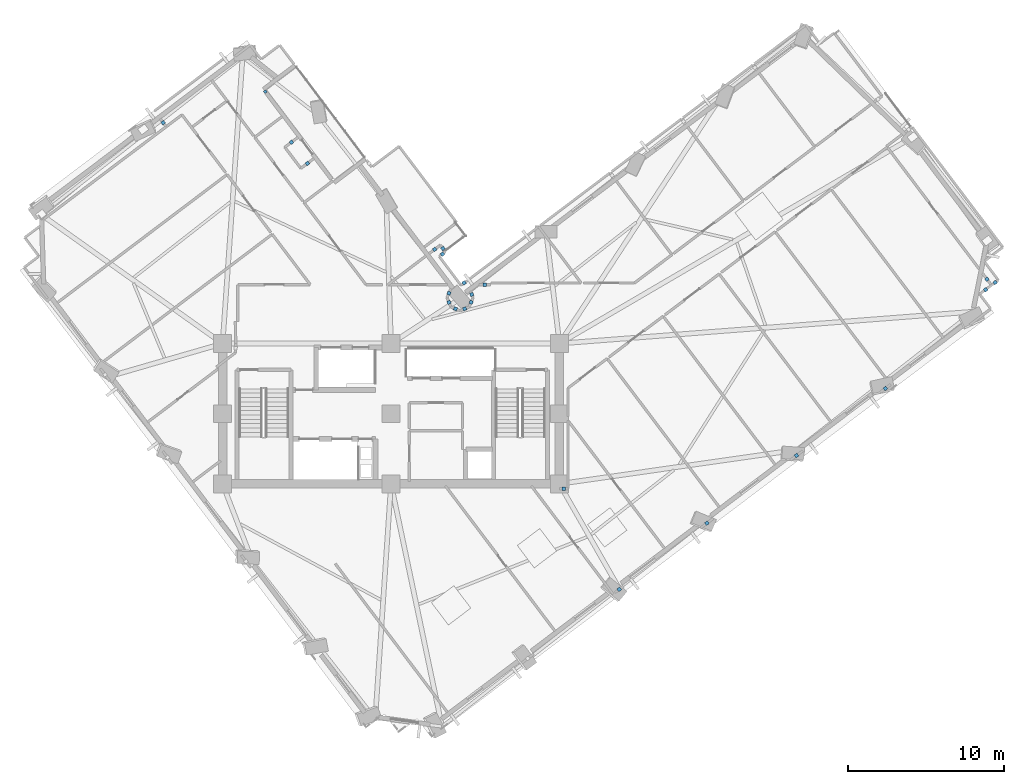
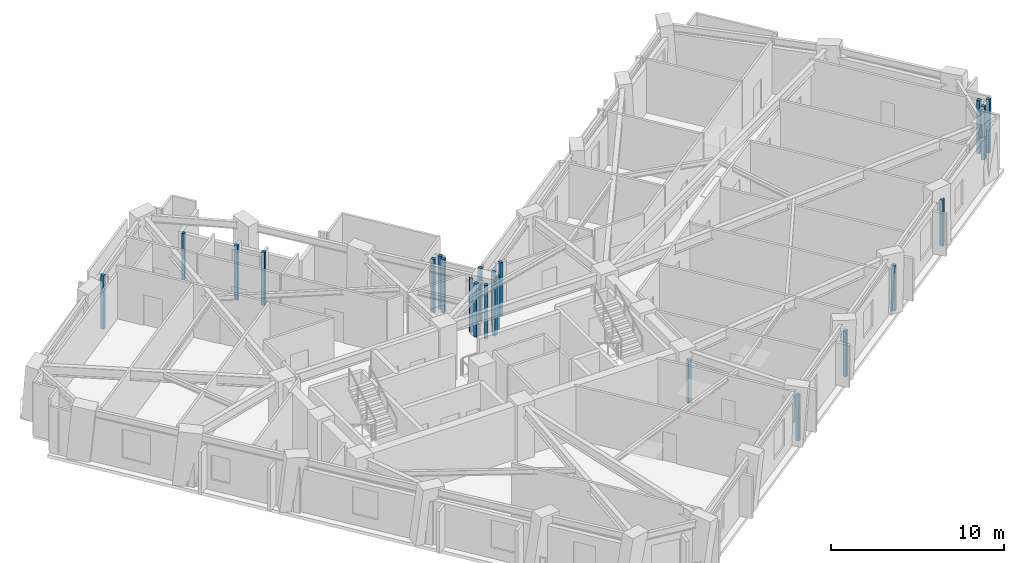
# One storey, part 4 of 15: 23 plates.
"""IFC4 building model written with IfcOpenShell, lengths in metres."""

from ifc_helpers import new_model, si_unit, direction, frame, origin, origin_2d, place, context, subcontext, project, spatial, rectangle, extrude, material, layer, layer_set, type_object, element, save


model = new_model("IFC4")

# Units and contexts
model_context = context("Model", 3, precision=1e-05, world=origin(), true_north=direction((0.0, 1.0)))
body_context = subcontext(model_context, "Body", "Model", "MODEL_VIEW")
ifc_project = project(units=[si_unit("LENGTHUNIT", "METRE"), si_unit("AREAUNIT", "SQUARE_METRE"), si_unit("VOLUMEUNIT", "CUBIC_METRE"), si_unit("PLANEANGLEUNIT", "RADIAN"), si_unit("MASSUNIT", "GRAM", prefix="KILO")], contexts=[model_context])

# Site, building, storey
site_placement = place(None, origin())
site = spatial("IfcSite", under=ifc_project, at=site_placement, CompositionType="ELEMENT")
building_placement = place(site_placement, origin())
building = spatial("IfcBuilding", under=site, at=building_placement, Name="Gaonmaruhae Medical Tower", CompositionType="ELEMENT")
storey_placement = place(building_placement, frame((0.0, 0.0, 181.800048828125)))
storey = spatial("IfcBuildingStorey", under=building, at=storey_placement, Name="L43", CompositionType="ELEMENT", Elevation=181.800048828125)

# Plates
ifc_material = material(Name="Anodised aluminium 6063-T6", Category="aluminium")
ifc_layer = layer(ifc_material, 0.011962890625)
ifc_layer_set = layer_set([ifc_layer], Name="Anodised aluminium 6063-T6")
plate_type = type_object("IfcPlateType", Name="PP-01 Interior Partition Corner Stiffener Plate", PredefinedType="SHEET", material=ifc_layer_set)
plate_1_placement = place(storey_placement, frame((16.74267578125, 32.955810546875, 0.0), z_axis=(0.0, 0.0, 1.0), x_axis=(0.602511734868, -0.798110023334, 0.0)))
element("IfcPlate", 1, at=plate_1_placement, inside=storey, type_object=plate_type, Name="L43 Partition End Jamb Post Plate PLT-L43-ENDP-TERB-0", PredefinedType="SHEET", context=body_context, shape_type="SweptSolid", body=[
    extrude(rectangle(XDim=0.179931640625, YDim=0.179931640625, at=origin_2d()), origin(), (0.0, 0.0, 1.0), 3.264892578125),
])
plate_2_placement = place(storey_placement, frame((39.4326171875, 1.03662109375, 0.0), z_axis=(0.0, 0.0, 1.0), x_axis=(-0.798036406683, -0.602609237905, 0.0)))
element("IfcPlate", 2, at=plate_2_placement, inside=storey, type_object=plate_type, Name="L43 Partition Corner Stiffener Plate PLT-L43-JGP-PW015", PredefinedType="SHEET", context=body_context, shape_type="SweptSolid", body=[
    extrude(rectangle(XDim=0.219970703125, YDim=0.219970703125, at=origin_2d()), origin(), (0.0, 0.0, 1.0), 3.264892578125),
])
plate_3_placement = place(storey_placement, frame((35.875, 7.5, 0.0), z_axis=(0.0, 0.0, 1.0), x_axis=(1.0, 0.0, 0.0)))
element("IfcPlate", 3, at=plate_3_placement, inside=storey, type_object=plate_type, Name="L43 Partition Corner Stiffener Plate PLT-L43-JGP-PW016", PredefinedType="SHEET", context=body_context, shape_type="SweptSolid", body=[
    extrude(rectangle(XDim=0.219970703125, YDim=0.219970703125, at=origin_2d()), origin(), (0.0, 0.0, 1.0), 3.06494140625),
])
for number, where, z_axis, x_axis, name in (
    (4, (45.0576171875, 5.282470703125, 0.0), (0.0, 0.0, 1.0), (-0.798183628072, -0.602414222838, 0.0), "L43 Partition Corner Stiffener Plate PLT-L43-JGP-PW019"),
    (5, (50.802978515625, 9.62109375, 0.0), (0.0, 0.0, 1.0), (-0.79829926859, -0.602260971481, 0.0), "L43 Partition Corner Stiffener Plate PLT-L43-JGP-PW026"),
    (6, (56.49755859375, 13.9189453125, 0.0), (0.0, 0.0, 1.0), (-0.798141569681, -0.602469945099, 0.0), "L43 Partition Corner Stiffener Plate PLT-L43-JGP-PW029"),
):
    element("IfcPlate", number, at=place(storey_placement, frame(where, z_axis=z_axis, x_axis=x_axis)), inside=storey, type_object=plate_type, Name=name, PredefinedType="SHEET", context=body_context, shape_type="SweptSolid", body=[
        extrude(rectangle(XDim=0.219970703125, YDim=0.219970703125, at=origin_2d()), origin(), (0.0, 0.0, 1.0), 3.264892578125),
    ])
for number, where, z_axis, x_axis, name in (
    (7, (63.015380859375, 20.92138671875, 0.0), (0.0, 0.0, 1.0), (0.602818142694, -0.797878616607, 0.0), "L43 Partition Corner Stiffener Plate PLT-L43-JGP-PW035"),
    (8, (62.930419921875, 20.25390625, 0.0), (0.0, 0.0, 1.0), (-0.798593493487, -0.601870776962, 0.0), "L43 Partition Corner Stiffener Plate PLT-L43-JGP-PW036"),
    (9, (29.488525390625, 20.694091796875, 0.0), (0.0, 0.0, 1.0), (0.79729958521, 0.603583773327, 0.0), "L43 Partition Corner Stiffener Plate PLT-L43-JGP-PW060"),
    (10, (29.97412109375, 19.950439453125, 0.0), (0.0, 0.0, 1.0), (0.381957701122, -0.924179806398, 0.0), "L43 Partition Corner Stiffener Plate PLT-L43-JGP-PW061"),
    (11, (29.93896484375, 19.445068359375, 0.0), (0.0, 0.0, 1.0), (-0.382167381036, -0.924093119157, 0.0), "L43 Partition Corner Stiffener Plate PLT-L43-JGP-PW062"),
):
    element("IfcPlate", number, at=place(storey_placement, frame(where, z_axis=z_axis, x_axis=x_axis)), inside=storey, type_object=plate_type, Name=name, PredefinedType="SHEET", context=body_context, shape_type="SweptSolid", body=[
        extrude(rectangle(XDim=0.219970703125, YDim=0.219970703125, at=origin_2d()), origin(), (0.0, 0.0, 1.0), 3.780029296875),
    ])
plate_4_placement = place(storey_placement, frame((29.5224609375, 19.028076171875, 0.0), z_axis=(0.0, 0.0, 1.0), x_axis=(-0.923866173777, -0.382715681611, 0.0)))
element("IfcPlate", 12, at=plate_4_placement, inside=storey, type_object=plate_type, Name="L43 Partition Corner Stiffener Plate PLT-L43-JGP-PW063", PredefinedType="SHEET", context=body_context, shape_type="SweptSolid", body=[
    extrude(rectangle(XDim=0.219970703125, YDim=0.219970703125, at=origin_2d()), origin(), (0.0, 0.0, 1.0), 3.4150390625),
])
for number, where, z_axis, x_axis, name in (
    (13, (28.93310546875, 19.028076171875, 0.0), (0.0, 0.0, 1.0), (-0.924093119157, 0.382167381036, 0.0), "L43 Partition Corner Stiffener Plate PLT-L43-JGP-PW064"),
    (14, (28.51611328125, 19.445068359375, 0.0), (0.0, 0.0, 1.0), (-0.382167381036, 0.924093119157, 0.0), "L43 Partition Corner Stiffener Plate PLT-L43-JGP-PW065"),
    (15, (28.513427734375, 20.028564453125, 0.0), (0.0, 0.0, 1.0), (0.382683432365, 0.923879532511, 0.0), "L43 Partition Corner Stiffener Plate PLT-L43-JGP-PW066"),
    (16, (27.597900390625, 22.83740234375, 0.0), (0.0, 0.0, 1.0), (0.798183628072, 0.602414222838, 0.0), "L43 Partition Corner Stiffener Plate PLT-L43-JGP-PW069"),
    (17, (28.131103515625, 22.89892578125, 0.0), (0.0, 0.0, 1.0), (0.602943465737, -0.797783916311, 0.0), "L43 Partition Corner Stiffener Plate PLT-L43-JGP-PW070"),
    (18, (28.099609375, 22.534423828125, 0.0), (0.0, 0.0, 1.0), (-0.79827824523, -0.602288837015, 0.0), "L43 Partition Corner Stiffener Plate PLT-L43-JGP-PW071"),
    (19, (30.805419921875, 20.580078125, 0.0), (0.0, 0.0, 1.0), (-1.0, 0.0, 0.0), "L43 Partition Corner Stiffener Plate PLT-L43-JGP-PW073"),
    (20, (18.4150390625, 29.7080078125, 0.0), (0.0, 0.0, 1.0), (-0.797952258782, -0.602720658933, 0.0), "L43 Partition Corner Stiffener Plate PLT-L43-JGP-PW102"),
    (21, (19.43896484375, 28.35107421875, 0.0), (0.0, 0.0, 1.0), (0.797952258782, 0.602720658933, 0.0), "L43 Partition Corner Stiffener Plate PLT-L43-JGP-PW104"),
    (22, (10.18798828125, 30.966552734375, 0.0), (0.0, 0.0, 1.0), (-0.601815023152, 0.798635510047, 0.0), "L43 Partition Corner Stiffener Plate PLT-L43-JGP-PW111"),
    (23, (63.537109375, 20.7119140625, 0.0), (0.0, 0.0, 1.0), (-0.796878009981, -0.604140246308, 0.0), "L43 Partition Corner Stiffener Plate PLT-L43-JGP-PW117"),
):
    element("IfcPlate", number, at=place(storey_placement, frame(where, z_axis=z_axis, x_axis=x_axis)), inside=storey, type_object=plate_type, Name=name, PredefinedType="SHEET", context=body_context, shape_type="SweptSolid", body=[
        extrude(rectangle(XDim=0.219970703125, YDim=0.219970703125, at=origin_2d()), origin(), (0.0, 0.0, 1.0), 3.780029296875),
    ])

save(model, "model.ifc")
